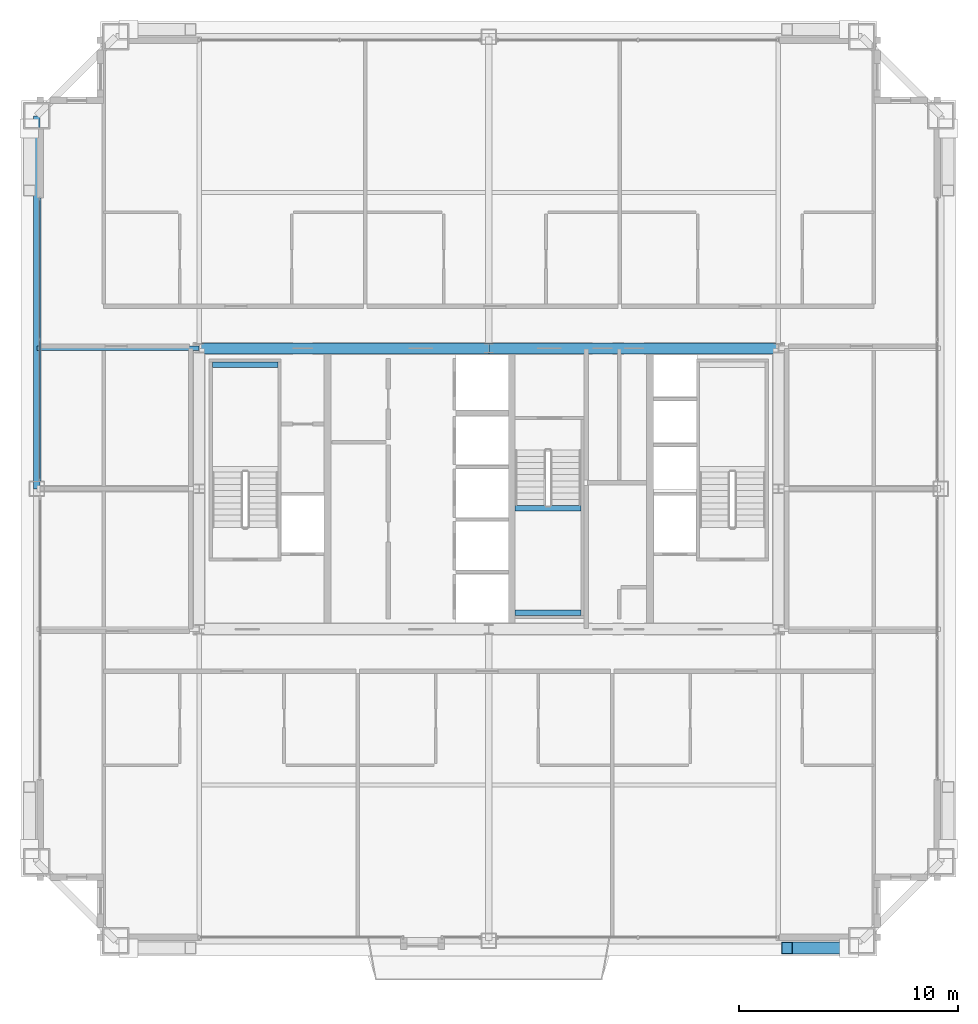
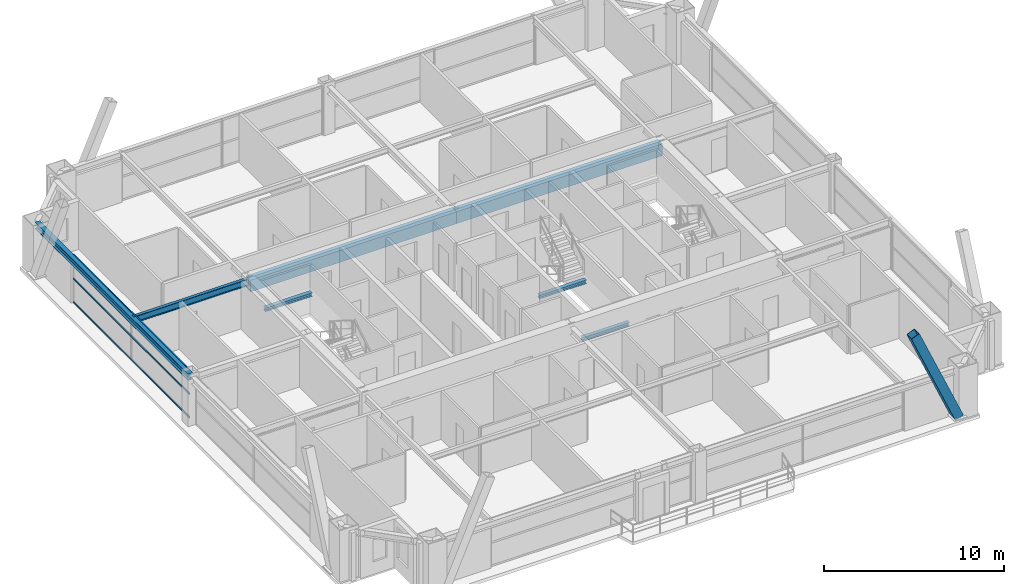
# One storey, part 12 of 34: 7 beams, 4 members, 1 element without a shape of its own.
"""IFC4 building model written with IfcOpenShell, lengths in metres."""

from ifc_helpers import new_model, si_unit, direction, frame, origin, origin_2d, place, context, subcontext, project, spatial, rectangle, hollow_rectangle, i_section, extrude, source, transform, mapped, material, layer, layer_set, material_profile, profile_set, type_object, element, aggregate, save


model = new_model("IFC4")

# Units and contexts
model_context = context("Model", 3, precision=1e-05, world=origin(), true_north=direction((0.0, 1.0)))
body_context = subcontext(model_context, "Body", "Model", "MODEL_VIEW")
ifc_project = project(units=[si_unit("LENGTHUNIT", "METRE"), si_unit("AREAUNIT", "SQUARE_METRE"), si_unit("VOLUMEUNIT", "CUBIC_METRE"), si_unit("PLANEANGLEUNIT", "RADIAN"), si_unit("MASSUNIT", "GRAM", prefix="KILO"), si_unit("THERMODYNAMICTEMPERATUREUNIT", "KELVIN"), si_unit("POWERUNIT", "WATT")], contexts=[model_context])

# Site, building, storey
site_placement = place(None, origin())
site = spatial("IfcSite", under=ifc_project, at=site_placement, CompositionType="ELEMENT")
building_placement = place(site_placement, origin())
building = spatial("IfcBuilding", under=site, at=building_placement, Name="Yuzanri Waterfront Tower", CompositionType="ELEMENT")
storey_placement = place(building_placement, frame((0.0, 0.0, 241.60009765625)))
storey = spatial("IfcBuildingStorey", under=building, at=storey_placement, Name="L64", CompositionType="ELEMENT", Elevation=241.60009765625)

# Beams
ifc_material_1 = material(Name="Concrete C50", Category="concrete")
ifc_material_profile_1 = material_profile(ifc_material_1, rectangle(XDim=0.5, YDim=0.800048828125, at=origin_2d()), Name="RC 500x800")
ifc_profile_set_1 = profile_set([ifc_material_profile_1], Name="Concrete C50")
beam_type_1 = type_object("IfcBeamType", Name="Core Coupling Lintel Concrete C50 500x800", PredefinedType="LINTEL", material=ifc_profile_set_1)
shared_shape_1 = source(origin(), body_context, "Body", "SweptSolid", [
    extrude(rectangle(XDim=0.5, YDim=0.800048828125, at=origin_2d()), origin(), (0.0, 0.0, 1.0), 13.199951171875),
])
for number, where, z_axis, x_axis, name in (
    (1, (23.800048828125, 32.199951171875, 2.8798828125), (1.0, 0.0, 0.0), (0.0, 1.0, 0.0), "L64 Core Tie Beam CN1"),
    (2, (37.0, 32.199951171875, 2.8798828125), (1.0, 0.0, 0.0), (0.0, 1.0, 0.0), "L64 Core Tie Beam CN2"),
):
    element("IfcBeam", number, at=place(storey_placement, frame(where, z_axis=z_axis, x_axis=x_axis)), inside=storey, type_object=beam_type_1, Name=name, PredefinedType="LINTEL", context=body_context, shape_type="MappedRepresentation", body=[
        mapped(shared_shape_1, transform((0.0, 0.0, 0.0), scale=1.0)),
    ])
ifc_material_2 = material(Name="Steel Q355B", Category="steel")
ifc_material_profile_2 = material_profile(ifc_material_2, i_section(OverallWidth=0.300048828125, OverallDepth=0.43994140625, WebThickness=0.010986328125, FlangeThickness=0.01806640625, at=origin_2d()), Name="HM 440x300x11x18")
ifc_profile_set_2 = profile_set([ifc_material_profile_2], Name="Steel Q355B")
beam_type_2 = type_object("IfcBeamType", Name="Perimeter Spandrel Q355B HM 440x300", PredefinedType="SPANDREL", material=ifc_profile_set_2)
shared_shape_2 = source(origin(), body_context, "Body", "SweptSolid", [
    extrude(i_section(OverallWidth=0.300048828125, OverallDepth=0.43994140625, WebThickness=0.010986328125, FlangeThickness=0.01806640625, at=origin_2d()), origin(), (0.0, 0.0, 1.0), 17.0),
])
beam_1_placement = place(storey_placement, frame((16.39990234375, 42.800048828125, 3.059814453125), z_axis=(0.0, -1.0, 0.0), x_axis=(1.0, 0.0, 0.0)))
element("IfcBeam", 3, at=beam_1_placement, inside=storey, type_object=beam_type_2, Name="L64 Perimeter Spandrel W3-W2", PredefinedType="SPANDREL", context=body_context, shape_type="MappedRepresentation", body=[
    mapped(shared_shape_2, transform((0.0, 0.0, 0.0), scale=1.0)),
])
ifc_material_3 = material(Name="Steel Q355B", Category="steel")
ifc_material_profile_3 = material_profile(ifc_material_3, i_section(OverallWidth=0.199951171875, OverallDepth=0.449951171875, WebThickness=0.009033203125, FlangeThickness=0.013916015625, at=origin_2d()), Name="HN 450x200x9x14")
ifc_profile_set_3 = profile_set([ifc_material_profile_3], Name="Steel Q355B")
beam_type_3 = type_object("IfcBeamType", Name="Secondary Floor Beam Q355B HN 450x200", PredefinedType="BEAM", material=ifc_profile_set_3)
shared_shape_3 = source(origin(), body_context, "Body", "SweptSolid", [
    extrude(i_section(OverallWidth=0.199951171875, OverallDepth=0.449951171875, WebThickness=0.009033203125, FlangeThickness=0.013916015625, at=origin_2d()), origin(), (0.0, 0.0, 1.0), 7.400146484375),
])
beam_2_placement = place(storey_placement, frame((23.800048828125, 32.199951171875, 3.054931640625), z_axis=(-1.0, 0.0, 0.0), x_axis=(0.0, -1.0, 0.0)))
element("IfcBeam", 4, at=beam_2_placement, inside=storey, type_object=beam_type_3, Name="L64 West-North Core Line Beam", PredefinedType="BEAM", context=body_context, shape_type="MappedRepresentation", body=[
    mapped(shared_shape_3, transform((0.0, 0.0, 0.0), scale=1.0)),
])

# Member
ifc_material_4 = material(Name="Steel Q390GJC", Category="steel")
ifc_material_profile_4 = material_profile(ifc_material_4, hollow_rectangle(XDim=0.550048828125, YDim=0.550048828125, WallThickness=0.02490234375, at=origin_2d()), Name="RHS 550x550x25")
ifc_profile_set_4 = profile_set([ifc_material_profile_4], Name="Steel Q390GJC")
member_type_1 = type_object("IfcMemberType", Name="Mega Brace Mid Q390GJC RHS 550x550x25", PredefinedType="BRACE", material=ifc_profile_set_4)
shared_shape_4 = source(origin(), body_context, "Body", "SweptSolid", [
    extrude(hollow_rectangle(XDim=0.550048828125, YDim=0.550048828125, WallThickness=0.02490234375, at=origin_2d()), origin(), (0.0, 0.0, 1.0), 7.085205078125),
])
member_1_placement = place(storey_placement, frame((53.419921875, 4.860107421875, 0.179931640625), z_axis=(-0.397982599681, 0.0, 0.917392963975), x_axis=(0.0, -1.0, 0.0)))
element("IfcMember", 5, at=member_1_placement, inside=storey, type_object=member_type_1, Name="L64-L65 Perimeter Mega-Brace S-R", PredefinedType="BRACE", context=body_context, shape_type="MappedRepresentation", body=[
    mapped(shared_shape_4, transform((0.0, 0.0, 0.0), scale=1.0)),
])

# Curtain wall, members
ifc_material_5 = material(Name="Anodized Architectural Bronze", Category="metal")
ifc_layer = layer(ifc_material_5, 0.159912109375)
ifc_layer_set = layer_set([ifc_layer], Name="Anodized Architectural Bronze")
curtain_wall_type = type_object("IfcCurtainWallType", Name="Anodized Bronze Mid-Rise Residential Acoustic Unitized Curtain Wall 7200", PredefinedType="NOTDEFINED", material=ifc_layer_set)
curtain_wall_placement = place(storey_placement, origin())
curtain_wall = element("IfcCurtainWall", 6, at=curtain_wall_placement, inside=storey, type_object=curtain_wall_type, Name="L64 Curtain Wall CW-L64-WR", PredefinedType="NOTDEFINED")
ifc_material_6 = material(Name="Anodized Architectural Bronze", Category="metal")
ifc_material_profile_5 = material_profile(ifc_material_6, hollow_rectangle(XDim=0.06494140625, YDim=0.1201171875, WallThickness=0.00341796875, at=origin_2d()), Name="CWT 65x120")
ifc_profile_set_5 = profile_set([ifc_material_profile_5], Name="Anodized Architectural Bronze")
member_type_2 = type_object("IfcMemberType", Name="Anodized Bronze Secondary Curtain-Wall Transom 65x120", PredefinedType="USERDEFINED", material=ifc_profile_set_5)
shared_shape_5 = source(origin(), body_context, "Body", "SweptSolid", [
    extrude(hollow_rectangle(XDim=0.06494140625, YDim=0.1201171875, WallThickness=0.00341796875, at=origin_2d()), origin(), (0.0, 0.0, 1.0), 12.900146484375),
])
member_2_placement = place(storey_placement, frame((16.550048828125, 26.14990234375, 0.0498046875), z_axis=(0.0, 1.0, 0.0), x_axis=(-1.0, 0.0, 0.0)))
member_2 = element("IfcMember", 7, at=member_2_placement, type_object=member_type_2, Name="CW-L64-WR Transom 1", ObjectType="TRANSOM", PredefinedType="USERDEFINED", context=body_context, shape_type="MappedRepresentation", body=[
    mapped(shared_shape_5, transform((0.0, 0.0, 0.0), scale=1.0)),
])
member_3_placement = place(storey_placement, frame((16.550048828125, 26.14990234375, 1.639892578125), z_axis=(0.0, 1.0, 0.0), x_axis=(-1.0, 0.0, 0.0)))
member_3 = element("IfcMember", 8, at=member_3_placement, type_object=member_type_2, Name="CW-L64-WR Transom 2", ObjectType="TRANSOM", PredefinedType="USERDEFINED", context=body_context, shape_type="MappedRepresentation", body=[
    mapped(shared_shape_5, transform((0.0, 0.0, 0.0), scale=1.0)),
])
member_4_placement = place(storey_placement, frame((16.550048828125, 26.14990234375, 3.22998046875), z_axis=(0.0, 1.0, 0.0), x_axis=(-1.0, 0.0, 0.0)))
member_4 = element("IfcMember", 9, at=member_4_placement, type_object=member_type_2, Name="CW-L64-WR Transom 3", ObjectType="TRANSOM", PredefinedType="USERDEFINED", context=body_context, shape_type="MappedRepresentation", body=[
    mapped(shared_shape_5, transform((0.0, 0.0, 0.0), scale=1.0)),
])
aggregate(curtain_wall, [member_2, member_3, member_4])

# Beams
ifc_material_7 = material(Name="Steel Q355B", Category="steel")
ifc_material_profile_6 = material_profile(ifc_material_7, i_section(OverallWidth=0.25, OverallDepth=0.25, WebThickness=0.009033203125, FlangeThickness=0.013916015625, at=origin_2d()), Name="HW 250x250x9x14")
ifc_profile_set_6 = profile_set([ifc_material_profile_6], Name="Steel Q355B")
beam_type_4 = type_object("IfcBeamType", Name="Stair Landing Support Beam Q355B HW 250x250", PredefinedType="BEAM", material=ifc_profile_set_6)
shared_shape_6 = source(origin(), body_context, "Body", "SweptSolid", [
    extrude(i_section(OverallWidth=0.25, OverallDepth=0.25, WebThickness=0.009033203125, FlangeThickness=0.013916015625, at=origin_2d()), origin(), (0.0, 0.0, 1.0), 3.0),
])
for number, where, z_axis, x_axis, name in (
    (10, (24.39990234375, 31.449951171875, 1.4248046875), (1.0, 0.0, 0.0), (0.0, 1.0, 0.0), "L64 Stair Landing Support Beam ST-01-L64-L1-2"),
    (11, (38.199951171875, 20.14990234375, 1.4248046875), (1.0, 0.0, 0.0), (0.0, 1.0, 0.0), "L64 Stair Landing Support Beam ST-03-L64-L1-1"),
    (12, (38.199951171875, 24.909912109375, 1.4248046875), (1.0, 0.0, 0.0), (0.0, 1.0, 0.0), "L64 Stair Landing Support Beam ST-03-L64-L1-2"),
):
    element("IfcBeam", number, at=place(storey_placement, frame(where, z_axis=z_axis, x_axis=x_axis)), inside=storey, type_object=beam_type_4, Name=name, PredefinedType="BEAM", context=body_context, shape_type="MappedRepresentation", body=[
        mapped(shared_shape_6, transform((0.0, 0.0, 0.0), scale=1.0)),
    ])

save(model, "model.ifc")
